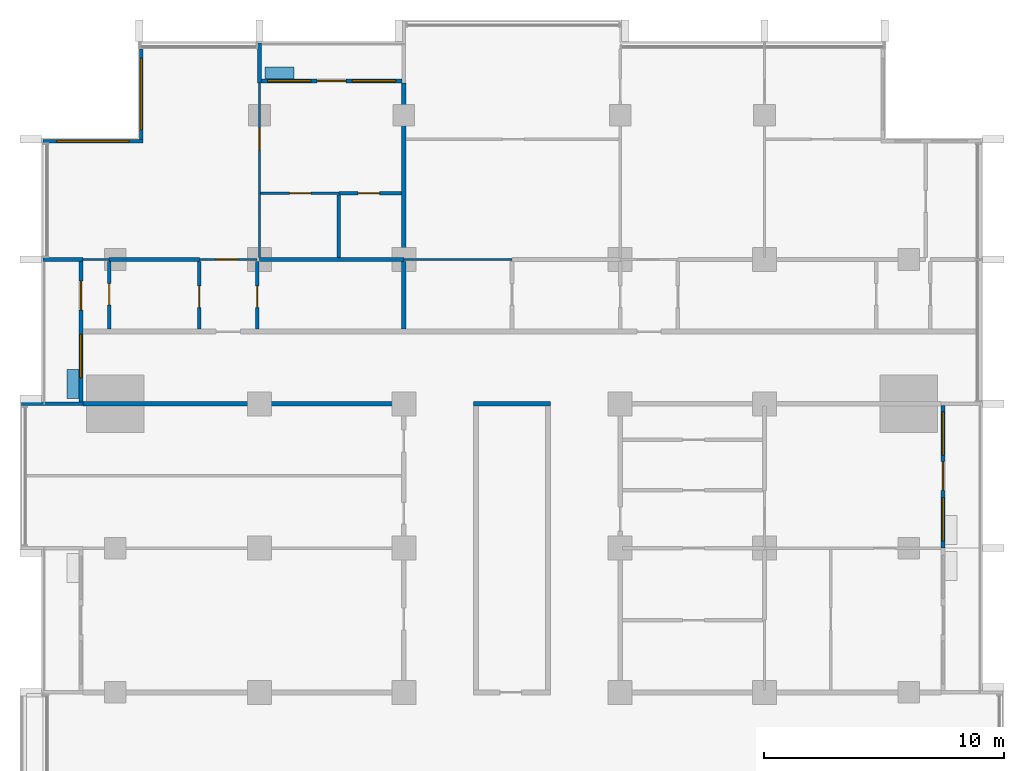
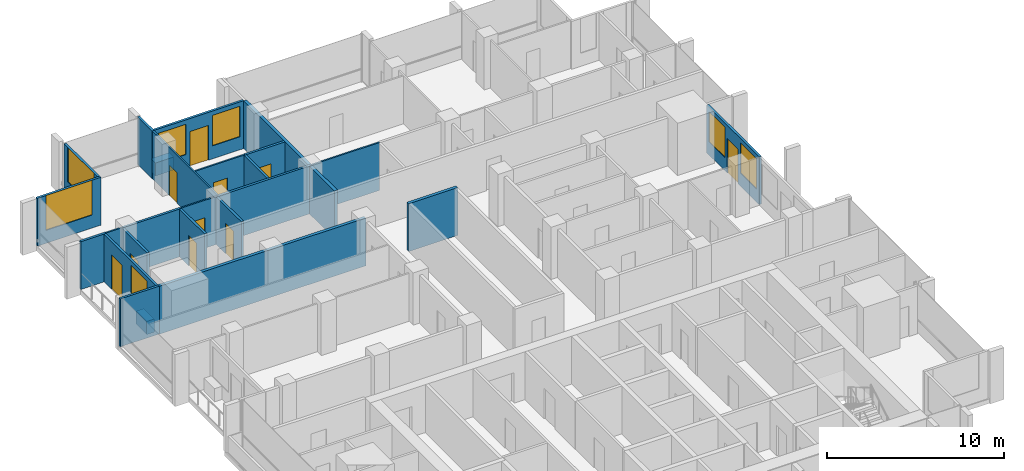
# One storey, part 10 of 17: 26 walls, 10 doors, 7 windows, 17 openings.
"""IFC4 building model written with IfcOpenShell, lengths in metres."""

from ifc_helpers import new_model, si_unit, direction, frame, frame_2d, origin, place, context, subcontext, project, spatial, rectangle, extrude, material, layer, layer_set, type_object, element, fill, save


model = new_model("IFC4")

# Units and contexts
model_context = context("Model", 3, precision=1e-05, world=origin(), true_north=direction((0.0, 1.0)))
body_context = subcontext(model_context, "Body", "Model", "MODEL_VIEW")
ifc_project = project(units=[si_unit("LENGTHUNIT", "METRE"), si_unit("AREAUNIT", "SQUARE_METRE"), si_unit("VOLUMEUNIT", "CUBIC_METRE"), si_unit("PLANEANGLEUNIT", "RADIAN"), si_unit("MASSUNIT", "GRAM", prefix="KILO")], contexts=[model_context])

# Site, building, storey
site_placement = place(None, origin())
site = spatial("IfcSite", under=ifc_project, at=site_placement, CompositionType="ELEMENT")
building_placement = place(site_placement, origin())
building = spatial("IfcBuilding", under=site, at=building_placement, Name="Finial Court Residences", CompositionType="ELEMENT")
storey_placement = place(building_placement, frame((0.0, 0.0, 152.89990234375)))
storey = spatial("IfcBuildingStorey", under=building, at=storey_placement, Name="L37", CompositionType="ELEMENT", Elevation=152.89990234375)

# Walls
ifc_material_1 = material(Name="Gypsum board")
ifc_layer_1 = layer(ifc_material_1, 0.02490234375)
ifc_material_2 = material(Name="Acoustic mineral wool in double frame")
ifc_layer_2 = layer(ifc_material_2, 0.14990234375)
ifc_layer_3 = layer(ifc_material_1, 0.02490234375)
ifc_layer_set_1 = layer_set([ifc_layer_1, ifc_layer_2, ifc_layer_3], Name="Acoustic party wall 200, 1 hour")
wall_type_1 = type_object("IfcWallType", Name="Acoustic party wall 200, 1 hour", PredefinedType="PARTITIONING", material=ifc_layer_set_1)
wall_1_placement = place(storey_placement, frame((-4.5, 10.60009765625, 0.0), z_axis=(0.0, 0.0, 1.0), x_axis=(0.0, 1.0, 0.0)))
element("IfcWall", 1, at=wall_1_placement, inside=storey, type_object=wall_type_1, Name="Partition L37-040", PredefinedType="PARTITIONING", context=body_context, shape_type="SweptSolid", body=[
    extrude(rectangle(XDim=2.824951171875, YDim=0.199951171875, at=frame_2d((1.41259765625, 0.0))), origin(), (0.0, 0.0, 1.0), 3.300048828125),
])
wall_2_placement = place(storey_placement, frame((-4.5, 13.574951171875, 0.0), z_axis=(0.0, 0.0, 1.0), x_axis=(0.0, 1.0, 0.0)))
element("IfcWall", 2, at=wall_2_placement, inside=storey, type_object=wall_type_1, Name="Partition L37-041", PredefinedType="PARTITIONING", context=body_context, shape_type="SweptSolid", body=[
    extrude(rectangle(XDim=7.275146484375, YDim=0.199951171875, at=frame_2d((3.6376953125, 0.0))), origin(), (0.0, 0.0, 1.0), 3.300048828125),
])
ifc_layer_4 = layer(ifc_material_1, 0.02490234375)
ifc_layer_5 = layer(ifc_material_2, 0.14990234375)
ifc_layer_6 = layer(ifc_material_1, 0.02490234375)
ifc_layer_set_2 = layer_set([ifc_layer_4, ifc_layer_5, ifc_layer_6], Name="Corridor wall 200, 1 hour")
wall_type_2 = type_object("IfcWallType", Name="Corridor wall 200, 1 hour", PredefinedType="PARTITIONING", material=ifc_layer_set_2)
wall_3_placement = place(storey_placement, frame((-17.85009765625, 7.5, 0.0), z_axis=(0.0, 0.0, 1.0), x_axis=(1.0, 0.0, 0.0)))
element("IfcWall", 3, at=wall_3_placement, inside=storey, type_object=wall_type_2, Name="Partition L37-016", PredefinedType="PARTITIONING", context=body_context, shape_type="SweptSolid", body=[
    extrude(rectangle(XDim=13.4501953125, YDim=0.199951171875, at=frame_2d((6.72509765625, 0.0))), origin(), (0.0, 0.0, 1.0), 3.300048828125),
])
wall_4_placement = place(storey_placement, frame((-1.60009765625, 7.5, 0.0), z_axis=(0.0, 0.0, 1.0), x_axis=(1.0, 0.0, 0.0)))
element("IfcWall", 4, at=wall_4_placement, inside=storey, type_object=wall_type_2, Name="Partition L37-017", PredefinedType="PARTITIONING", context=body_context, shape_type="SweptSolid", body=[
    extrude(rectangle(XDim=3.2001953125, YDim=0.199951171875, at=frame_2d((1.60009765625, 0.0))), origin(), (0.0, 0.0, 1.0), 3.300048828125),
])
ifc_layer_7 = layer(ifc_material_1, 0.012451171875)
ifc_material_3 = material(Name="Mineral wool in light-gauge frame")
ifc_layer_8 = layer(ifc_material_3, 0.074951171875)
ifc_layer_9 = layer(ifc_material_1, 0.012451171875)
ifc_layer_set_3 = layer_set([ifc_layer_7, ifc_layer_8, ifc_layer_9], Name="Gypsum board partition 100")
wall_type_3 = type_object("IfcWallType", Name="Gypsum board partition 100", PredefinedType="PARTITIONING", material=ifc_layer_set_3)
wall_5_placement = place(storey_placement, frame((-17.85009765625, 13.5, 0.0), z_axis=(0.0, 0.0, 1.0), x_axis=(1.0, 0.0, 0.0)))
element("IfcWall", 5, at=wall_5_placement, inside=storey, type_object=wall_type_3, Name="Partition L37-020", PredefinedType="PARTITIONING", context=body_context, shape_type="SweptSolid", body=[
    extrude(rectangle(XDim=1.10009765625, YDim=0.10009765625, at=frame_2d((0.550048828125, 0.0))), origin(), (0.0, 0.0, 1.0), 3.300048828125),
])

# Wall, opening, door
wall_6_placement = place(storey_placement, frame((-13.0, 13.5, 0.0), z_axis=(0.0, 0.0, 1.0), x_axis=(1.0, 0.0, 0.0)))
wall_6 = element("IfcWall", 6, at=wall_6_placement, inside=storey, type_object=wall_type_3, Name="Partition L37-021", PredefinedType="PARTITIONING", context=body_context, shape_type="SweptSolid", body=[
    extrude(rectangle(XDim=2.39990234375, YDim=0.10009765625, at=frame_2d((1.199951171875, 0.0))), origin(), (0.0, 0.0, 1.0), 3.300048828125),
])
opening_1_placement = place(wall_6_placement, frame((0.699951171875, 0.0, 0.0)))
opening_1 = element("IfcOpeningElement", 7, at=opening_1_placement, cuts=wall_6, Name="Opening L37-D017", PredefinedType="OPENING", context=body_context, shape_type="SweptSolid", body=[
    extrude(rectangle(XDim=0.89990234375, YDim=2.10009765625, at=frame_2d((0.449951171875, 1.050048828125))), frame((0.0, 0.06005859375, 0.0), z_axis=(0.0, -1.0, 0.0), x_axis=(1.0, 0.0, 0.0)), (0.0, 0.0, 1.0), 0.1201171875),
])
ifc_material_4 = material(Name="Timber door leaf in timber frame", Category="wood")
door_type_1 = type_object("IfcDoorType", Name="Door set 900 x 2100", OperationType="SINGLE_SWING_LEFT", PredefinedType="DOOR", material=ifc_material_4)
door_1_placement = place(opening_1_placement, origin())
door_1 = element("IfcDoor", 8, at=door_1_placement, inside=storey, type_object=door_type_1, Name="Door L37-D017", OperationType="SINGLE_SWING_LEFT", OverallHeight=2.10009765625, OverallWidth=0.89990234375, PredefinedType="DOOR", context=body_context, shape_type="SweptSolid", body=[
    extrude(rectangle(XDim=0.89990234375, YDim=2.10009765625, at=frame_2d((0.449951171875, 1.050048828125))), frame((0.0, 0.02490234375, 0.0), z_axis=(0.0, -1.0, 0.0), x_axis=(1.0, 0.0, 0.0)), (0.0, 0.0, 1.0), 0.050048828125),
])
fill(opening_1, door_1)

# Wall
wall_7_placement = place(storey_placement, frame((-4.5, 13.5, 0.0), z_axis=(0.0, 0.0, 1.0), x_axis=(1.0, 0.0, 0.0)))
element("IfcWall", 9, at=wall_7_placement, inside=storey, type_object=wall_type_3, Name="Partition L37-022", PredefinedType="PARTITIONING", context=body_context, shape_type="SweptSolid", body=[
    extrude(rectangle(XDim=4.5, YDim=0.10009765625, at=frame_2d((2.25, 0.0))), origin(), (0.0, 0.0, 1.0), 3.300048828125),
])

# Wall, opening, door
wall_8_placement = place(storey_placement, frame((-10.449951171875, 16.25, 0.0), z_axis=(0.0, 0.0, 1.0), x_axis=(1.0, 0.0, 0.0)))
wall_8 = element("IfcWall", 10, at=wall_8_placement, inside=storey, type_object=wall_type_3, Name="Partition L37-029", PredefinedType="PARTITIONING", context=body_context, shape_type="SweptSolid", body=[
    extrude(rectangle(XDim=3.25, YDim=0.10009765625, at=frame_2d((1.625, 0.0))), origin(), (0.0, 0.0, 1.0), 3.300048828125),
])
opening_2_placement = place(wall_8_placement, frame((1.199951171875, 0.0, 0.0)))
opening_2 = element("IfcOpeningElement", 11, at=opening_2_placement, cuts=wall_8, Name="Opening L37-D019", PredefinedType="OPENING", context=body_context, shape_type="SweptSolid", body=[
    extrude(rectangle(XDim=0.89990234375, YDim=2.10009765625, at=frame_2d((0.449951171875, 1.050048828125))), frame((0.0, 0.06005859375, 0.0), z_axis=(0.0, -1.0, 0.0), x_axis=(1.0, 0.0, 0.0)), (0.0, 0.0, 1.0), 0.1201171875),
])
door_2_placement = place(opening_2_placement, origin())
door_2 = element("IfcDoor", 12, at=door_2_placement, inside=storey, type_object=door_type_1, Name="Door L37-D019", OperationType="SINGLE_SWING_RIGHT", OverallHeight=2.10009765625, OverallWidth=0.89990234375, PredefinedType="DOOR", context=body_context, shape_type="SweptSolid", body=[
    extrude(rectangle(XDim=0.89990234375, YDim=2.10009765625, at=frame_2d((0.449951171875, 1.050048828125))), frame((0.0, 0.02490234375, 0.0), z_axis=(0.0, -1.0, 0.0), x_axis=(1.0, 0.0, 0.0)), (0.0, 0.0, 1.0), 0.050048828125),
])
fill(opening_2, door_2)

wall_9_placement = place(storey_placement, frame((-10.5, 13.574951171875, 0.0), z_axis=(0.0, 0.0, 1.0), x_axis=(0.0, 1.0, 0.0)))
wall_9 = element("IfcWall", 13, at=wall_9_placement, inside=storey, type_object=wall_type_3, Name="Partition L37-037", PredefinedType="PARTITIONING", context=body_context, shape_type="SweptSolid", body=[
    extrude(rectangle(XDim=7.275146484375, YDim=0.10009765625, at=frame_2d((3.6376953125, 0.0))), origin(), (0.0, 0.0, 1.0), 3.300048828125),
])
opening_3_placement = place(wall_9_placement, frame((4.47509765625, 0.0, 0.0)))
opening_3 = element("IfcOpeningElement", 14, at=opening_3_placement, cuts=wall_9, Name="Opening L37-D026", PredefinedType="OPENING", context=body_context, shape_type="SweptSolid", body=[
    extrude(rectangle(XDim=0.89990234375, YDim=2.10009765625, at=frame_2d((0.449951171875, 1.050048828125))), frame((0.0, 0.06005859375, 0.0), z_axis=(0.0, -1.0, 0.0), x_axis=(1.0, 0.0, 0.0)), (0.0, 0.0, 1.0), 0.1201171875),
])
door_3_placement = place(opening_3_placement, origin())
door_3 = element("IfcDoor", 15, at=door_3_placement, inside=storey, type_object=door_type_1, Name="Door L37-D026", OperationType="SINGLE_SWING_RIGHT", OverallHeight=2.10009765625, OverallWidth=0.89990234375, PredefinedType="DOOR", context=body_context, shape_type="SweptSolid", body=[
    extrude(rectangle(XDim=0.89990234375, YDim=2.10009765625, at=frame_2d((0.449951171875, 1.050048828125))), frame((0.0, 0.02490234375, 0.0), z_axis=(0.0, -1.0, 0.0), x_axis=(1.0, 0.0, 0.0)), (0.0, 0.0, 1.0), 0.050048828125),
])
fill(opening_3, door_3)

# Walls
ifc_material_5 = material(Name="Moisture-resistant gypsum board")
ifc_layer_10 = layer(ifc_material_5, 0.012451171875)
ifc_layer_11 = layer(ifc_material_3, 0.125)
ifc_layer_12 = layer(ifc_material_5, 0.012451171875)
ifc_layer_set_4 = layer_set([ifc_layer_10, ifc_layer_11, ifc_layer_12], Name="Gypsum board wet-area partition 150")
wall_type_4 = type_object("IfcWallType", Name="Gypsum board wet-area partition 150", PredefinedType="PARTITIONING", material=ifc_layer_set_4)
wall_10_placement = place(storey_placement, frame((-16.75, 13.5, 0.0), z_axis=(0.0, 0.0, 1.0), x_axis=(1.0, 0.0, 0.0)))
element("IfcWall", 16, at=wall_10_placement, inside=storey, type_object=wall_type_4, Name="Partition L37-024", PredefinedType="PARTITIONING", context=body_context, shape_type="SweptSolid", body=[
    extrude(rectangle(XDim=3.75, YDim=0.14990234375, at=frame_2d((1.875, 0.0))), origin(), (0.0, 0.0, 1.0), 3.300048828125),
])
wall_11_placement = place(storey_placement, frame((-10.5, 13.5, 0.0), z_axis=(0.0, 0.0, 1.0), x_axis=(1.0, 0.0, 0.0)))
element("IfcWall", 17, at=wall_11_placement, inside=storey, type_object=wall_type_4, Name="Partition L37-025", PredefinedType="PARTITIONING", context=body_context, shape_type="SweptSolid", body=[
    extrude(rectangle(XDim=6.0, YDim=0.14990234375, at=frame_2d((3.0, 0.0))), origin(), (0.0, 0.0, 1.0), 3.300048828125),
])

# Wall, opening, door
wall_12_placement = place(storey_placement, frame((-7.199951171875, 16.25, 0.0), z_axis=(0.0, 0.0, 1.0), x_axis=(1.0, 0.0, 0.0)))
wall_12 = element("IfcWall", 18, at=wall_12_placement, inside=storey, type_object=wall_type_4, Name="Partition L37-030", PredefinedType="PARTITIONING", context=body_context, shape_type="SweptSolid", body=[
    extrude(rectangle(XDim=2.599853515625, YDim=0.14990234375, at=frame_2d((1.2998046875, 0.0))), origin(), (0.0, 0.0, 1.0), 3.300048828125),
])
opening_4_placement = place(wall_12_placement, frame((0.800048828125, 0.0, 0.0)))
opening_4 = element("IfcOpeningElement", 19, at=opening_4_placement, cuts=wall_12, Name="Opening L37-D020", PredefinedType="OPENING", context=body_context, shape_type="SweptSolid", body=[
    extrude(rectangle(XDim=0.89990234375, YDim=2.10009765625, at=frame_2d((0.449951171875, 1.050048828125))), frame((0.0, 0.0849609375, 0.0), z_axis=(0.0, -1.0, 0.0), x_axis=(1.0, 0.0, 0.0)), (0.0, 0.0, 1.0), 0.169921875),
])
door_4_placement = place(opening_4_placement, origin())
door_4 = element("IfcDoor", 20, at=door_4_placement, inside=storey, type_object=door_type_1, Name="Door L37-D020", OperationType="SINGLE_SWING_RIGHT", OverallHeight=2.10009765625, OverallWidth=0.89990234375, PredefinedType="DOOR", context=body_context, shape_type="SweptSolid", body=[
    extrude(rectangle(XDim=0.89990234375, YDim=2.10009765625, at=frame_2d((0.449951171875, 1.050048828125))), frame((0.0, 0.02490234375, 0.0), z_axis=(0.0, -1.0, 0.0), x_axis=(1.0, 0.0, 0.0)), (0.0, 0.0, 1.0), 0.050048828125),
])
fill(opening_4, door_4)

wall_13_placement = place(storey_placement, frame((-16.75, 10.60009765625, 0.0), z_axis=(0.0, 0.0, 1.0), x_axis=(0.0, 1.0, 0.0)))
wall_13 = element("IfcWall", 21, at=wall_13_placement, inside=storey, type_object=wall_type_4, Name="Partition L37-033", PredefinedType="PARTITIONING", context=body_context, shape_type="SweptSolid", body=[
    extrude(rectangle(XDim=2.824951171875, YDim=0.14990234375, at=frame_2d((1.41259765625, 0.0))), origin(), (0.0, 0.0, 1.0), 3.300048828125),
])
opening_5_placement = place(wall_13_placement, frame((1.0, 0.0, 0.0)))
opening_5 = element("IfcOpeningElement", 22, at=opening_5_placement, cuts=wall_13, Name="Opening L37-D023", PredefinedType="OPENING", context=body_context, shape_type="SweptSolid", body=[
    extrude(rectangle(XDim=0.89990234375, YDim=2.10009765625, at=frame_2d((0.449951171875, 1.050048828125))), frame((0.0, 0.0849609375, 0.0), z_axis=(0.0, -1.0, 0.0), x_axis=(1.0, 0.0, 0.0)), (0.0, 0.0, 1.0), 0.169921875),
])
door_5_placement = place(opening_5_placement, origin())
door_5 = element("IfcDoor", 23, at=door_5_placement, inside=storey, type_object=door_type_1, Name="Door L37-D023", OperationType="SINGLE_SWING_RIGHT", OverallHeight=2.10009765625, OverallWidth=0.89990234375, PredefinedType="DOOR", context=body_context, shape_type="SweptSolid", body=[
    extrude(rectangle(XDim=0.89990234375, YDim=2.10009765625, at=frame_2d((0.449951171875, 1.050048828125))), frame((0.0, 0.02490234375, 0.0), z_axis=(0.0, -1.0, 0.0), x_axis=(1.0, 0.0, 0.0)), (0.0, 0.0, 1.0), 0.050048828125),
])
fill(opening_5, door_5)

wall_14_placement = place(storey_placement, frame((-13.0, 10.60009765625, 0.0), z_axis=(0.0, 0.0, 1.0), x_axis=(0.0, 1.0, 0.0)))
wall_14 = element("IfcWall", 24, at=wall_14_placement, inside=storey, type_object=wall_type_4, Name="Partition L37-035", PredefinedType="PARTITIONING", context=body_context, shape_type="SweptSolid", body=[
    extrude(rectangle(XDim=2.824951171875, YDim=0.14990234375, at=frame_2d((1.41259765625, 0.0))), origin(), (0.0, 0.0, 1.0), 3.300048828125),
])
opening_6_placement = place(wall_14_placement, frame((0.89990234375, 0.0, 0.0)))
opening_6 = element("IfcOpeningElement", 25, at=opening_6_placement, cuts=wall_14, Name="Opening L37-D024", PredefinedType="OPENING", context=body_context, shape_type="SweptSolid", body=[
    extrude(rectangle(XDim=0.89990234375, YDim=2.10009765625, at=frame_2d((0.449951171875, 1.050048828125))), frame((0.0, 0.0849609375, 0.0), z_axis=(0.0, -1.0, 0.0), x_axis=(1.0, 0.0, 0.0)), (0.0, 0.0, 1.0), 0.169921875),
])
door_6_placement = place(opening_6_placement, origin())
door_6 = element("IfcDoor", 26, at=door_6_placement, inside=storey, type_object=door_type_1, Name="Door L37-D024", OperationType="SINGLE_SWING_LEFT", OverallHeight=2.10009765625, OverallWidth=0.89990234375, PredefinedType="DOOR", context=body_context, shape_type="SweptSolid", body=[
    extrude(rectangle(XDim=0.89990234375, YDim=2.10009765625, at=frame_2d((0.449951171875, 1.050048828125))), frame((0.0, 0.02490234375, 0.0), z_axis=(0.0, -1.0, 0.0), x_axis=(1.0, 0.0, 0.0)), (0.0, 0.0, 1.0), 0.050048828125),
])
fill(opening_6, door_6)

wall_15_placement = place(storey_placement, frame((-10.60009765625, 10.60009765625, 0.0), z_axis=(0.0, 0.0, 1.0), x_axis=(0.0, 1.0, 0.0)))
wall_15 = element("IfcWall", 27, at=wall_15_placement, inside=storey, type_object=wall_type_4, Name="Partition L37-036", PredefinedType="PARTITIONING", context=body_context, shape_type="SweptSolid", body=[
    extrude(rectangle(XDim=2.824951171875, YDim=0.14990234375, at=frame_2d((1.41259765625, 0.0))), origin(), (0.0, 0.0, 1.0), 3.300048828125),
])
opening_7_placement = place(wall_15_placement, frame((0.89990234375, 0.0, 0.0)))
opening_7 = element("IfcOpeningElement", 28, at=opening_7_placement, cuts=wall_15, Name="Opening L37-D025", PredefinedType="OPENING", context=body_context, shape_type="SweptSolid", body=[
    extrude(rectangle(XDim=0.89990234375, YDim=2.10009765625, at=frame_2d((0.449951171875, 1.050048828125))), frame((0.0, 0.0849609375, 0.0), z_axis=(0.0, -1.0, 0.0), x_axis=(1.0, 0.0, 0.0)), (0.0, 0.0, 1.0), 0.169921875),
])
door_7_placement = place(opening_7_placement, origin())
door_7 = element("IfcDoor", 29, at=door_7_placement, inside=storey, type_object=door_type_1, Name="Door L37-D025", OperationType="SINGLE_SWING_RIGHT", OverallHeight=2.10009765625, OverallWidth=0.89990234375, PredefinedType="DOOR", context=body_context, shape_type="SweptSolid", body=[
    extrude(rectangle(XDim=0.89990234375, YDim=2.10009765625, at=frame_2d((0.449951171875, 1.050048828125))), frame((0.0, 0.02490234375, 0.0), z_axis=(0.0, -1.0, 0.0), x_axis=(1.0, 0.0, 0.0)), (0.0, 0.0, 1.0), 0.050048828125),
])
fill(opening_7, door_7)

# Wall
wall_16_placement = place(storey_placement, frame((-7.199951171875, 13.574951171875, 0.0), z_axis=(0.0, 0.0, 1.0), x_axis=(0.0, 1.0, 0.0)))
element("IfcWall", 30, at=wall_16_placement, inside=storey, type_object=wall_type_4, Name="Partition L37-038", PredefinedType="PARTITIONING", context=body_context, shape_type="SweptSolid", body=[
    extrude(rectangle(XDim=2.60009765625, YDim=0.14990234375, at=frame_2d((1.300048828125, 0.0))), origin(), (0.0, 0.0, 1.0), 3.300048828125),
])

# Wall, opening, window
ifc_material_6 = material(Name="Natural limestone", Category="masonry")
ifc_layer_13 = layer(ifc_material_6, 0.14990234375)
ifc_layer_set_5 = layer_set([ifc_layer_13], Name="Limestone clad wall 150")
wall_type_5 = type_object("IfcWallType", Name="Limestone clad wall 150", PredefinedType="SOLIDWALL", material=ifc_layer_set_5)
wall_17_placement = place(storey_placement, frame((-15.425048828125, 18.5, 0.0), z_axis=(0.0, 0.0, 1.0), x_axis=(0.0, 1.0, 0.0)))
wall_17 = element("IfcWall", 31, at=wall_17_placement, inside=storey, type_object=wall_type_5, Name="E-L37-NWW16", PredefinedType="SOLIDWALL", context=body_context, shape_type="SweptSolid", body=[
    extrude(rectangle(XDim=3.762451171875, YDim=0.14990234375, at=frame_2d((1.88134765625, 0.0))), origin(), (0.0, 0.0, 1.0), 3.300048828125),
])
opening_8_placement = place(wall_17_placement, frame((0.4013671875, 0.0, 0.89990234375)))
opening_8 = element("IfcOpeningElement", 32, at=opening_8_placement, cuts=wall_17, Name="Opening WE37-05", PredefinedType="OPENING", context=body_context, shape_type="SweptSolid", body=[
    extrude(rectangle(XDim=2.9599609375, YDim=2.39990234375, at=frame_2d((1.47998046875, 1.199951171875))), frame((0.0, 0.0849609375, 0.0), z_axis=(0.0, -1.0, 0.0), x_axis=(1.0, 0.0, 0.0)), (0.0, 0.0, 1.0), 0.169921875),
])
ifc_material_7 = material(Name="Clear low-e glass", Category="glass")
window_type_1 = type_object("IfcWindowType", Name="Corner window 2960 x 2400", PartitioningType="SINGLE_PANEL", PredefinedType="WINDOW", material=ifc_material_7)
window_1_placement = place(opening_8_placement, origin())
window_1 = element("IfcWindow", 33, at=window_1_placement, inside=storey, type_object=window_type_1, Name="E-L37-NWW16-W1", OverallHeight=2.39990234375, OverallWidth=2.9599609375, PartitioningType="SINGLE_PANEL", PredefinedType="WINDOW", context=body_context, shape_type="SweptSolid", body=[
    extrude(rectangle(XDim=2.9599609375, YDim=2.39990234375, at=frame_2d((1.47998046875, 1.199951171875))), frame((0.0, 0.030029296875, 0.0), z_axis=(0.0, -1.0, 0.0), x_axis=(1.0, 0.0, 0.0)), (0.0, 0.0, 1.0), 0.06005859375),
])
fill(opening_8, window_1)

wall_18_placement = place(storey_placement, frame((-19.5, 18.425048828125, 0.0), z_axis=(0.0, 0.0, 1.0), x_axis=(1.0, 0.0, 0.0)))
wall_18 = element("IfcWall", 34, at=wall_18_placement, inside=storey, type_object=wall_type_5, Name="E-L37-NWN17", PredefinedType="SOLIDWALL", context=body_context, shape_type="SweptSolid", body=[
    extrude(rectangle(XDim=4.14990234375, YDim=0.14990234375, at=frame_2d((2.074951171875, 0.0))), origin(), (0.0, 0.0, 1.0), 3.300048828125),
])
opening_9_placement = place(wall_18_placement, frame((0.574951171875, 0.0, 0.89990234375)))
opening_9 = element("IfcOpeningElement", 35, at=opening_9_placement, cuts=wall_18, Name="Opening WE37-06", PredefinedType="OPENING", context=body_context, shape_type="SweptSolid", body=[
    extrude(rectangle(XDim=3.0, YDim=2.39990234375, at=frame_2d((1.5, 1.199951171875))), frame((0.0, 0.0849609375, 0.0), z_axis=(0.0, -1.0, 0.0), x_axis=(1.0, 0.0, 0.0)), (0.0, 0.0, 1.0), 0.169921875),
])
window_type_2 = type_object("IfcWindowType", Name="Corner window 3000 x 2400", PartitioningType="SINGLE_PANEL", PredefinedType="WINDOW", material=ifc_material_7)
window_2_placement = place(opening_9_placement, origin())
window_2 = element("IfcWindow", 36, at=window_2_placement, inside=storey, type_object=window_type_2, Name="E-L37-NWN17-W1", OverallHeight=2.39990234375, OverallWidth=3.0, PartitioningType="SINGLE_PANEL", PredefinedType="WINDOW", context=body_context, shape_type="SweptSolid", body=[
    extrude(rectangle(XDim=3.0, YDim=2.39990234375, at=frame_2d((1.5, 1.199951171875))), frame((0.0, 0.030029296875, 0.0), z_axis=(0.0, -1.0, 0.0), x_axis=(1.0, 0.0, 0.0)), (0.0, 0.0, 1.0), 0.06005859375),
])
fill(opening_9, window_2)

# Wall
wall_19_placement = place(storey_placement, frame((-10.5, 20.85009765625, 0.0), z_axis=(0.0, 0.0, 1.0), x_axis=(0.0, 1.0, 0.0)))
element("IfcWall", 37, at=wall_19_placement, inside=storey, type_object=wall_type_5, Name="E-L37-BALN2-P1", PredefinedType="SOLIDWALL", context=body_context, shape_type="SweptSolid", body=[
    extrude(rectangle(XDim=1.64990234375, YDim=0.14990234375, at=frame_2d((0.824951171875, 0.0))), origin(), (0.0, 0.0, 1.0), 3.300048828125),
])

# Wall, openings, door, windows
wall_20_placement = place(storey_placement, frame((-10.425048828125, 20.925048828125, 0.0), z_axis=(0.0, 0.0, 1.0), x_axis=(1.0, 0.0, 0.0)))
wall_20 = element("IfcWall", 38, at=wall_20_placement, inside=storey, type_object=wall_type_5, Name="E-L37-L37-BALN2-W", PredefinedType="SOLIDWALL", context=body_context, shape_type="SweptSolid", body=[
    extrude(rectangle(XDim=5.85009765625, YDim=0.14990234375, at=frame_2d((2.925048828125, 0.0))), origin(), (0.0, 0.0, 1.0), 3.300048828125),
])
opening_10_placement = place(wall_20_placement, frame((2.324951171875, 0.0, 0.0)))
opening_10 = element("IfcOpeningElement", 39, at=opening_10_placement, cuts=wall_20, Name="Opening DE37-01", PredefinedType="OPENING", context=body_context, shape_type="SweptSolid", body=[
    extrude(rectangle(XDim=1.199951171875, YDim=2.39990234375, at=frame_2d((0.60009765625, 1.199951171875))), frame((0.0, 0.0849609375, 0.0), z_axis=(0.0, -1.0, 0.0), x_axis=(1.0, 0.0, 0.0)), (0.0, 0.0, 1.0), 0.169921875),
])
opening_11_placement = place(wall_20_placement, frame((0.262451171875, 0.0, 0.89990234375)))
opening_11 = element("IfcOpeningElement", 40, at=opening_11_placement, cuts=wall_20, Name="Opening WE37-10", PredefinedType="OPENING", context=body_context, shape_type="SweptSolid", body=[
    extrude(rectangle(XDim=1.800048828125, YDim=2.10009765625, at=frame_2d((0.89990234375, 1.050048828125))), frame((0.0, 0.0849609375, 0.0), z_axis=(0.0, -1.0, 0.0), x_axis=(1.0, 0.0, 0.0)), (0.0, 0.0, 1.0), 0.169921875),
])
opening_12_placement = place(wall_20_placement, frame((3.78759765625, 0.0, 0.89990234375)))
opening_12 = element("IfcOpeningElement", 41, at=opening_12_placement, cuts=wall_20, Name="Opening WE37-11", PredefinedType="OPENING", context=body_context, shape_type="SweptSolid", body=[
    extrude(rectangle(XDim=1.800048828125, YDim=2.10009765625, at=frame_2d((0.89990234375, 1.050048828125))), frame((0.0, 0.0849609375, 0.0), z_axis=(0.0, -1.0, 0.0), x_axis=(1.0, 0.0, 0.0)), (0.0, 0.0, 1.0), 0.169921875),
])
ifc_material_8 = material(Name="Bronze anodised aluminium", Category="aluminium")
door_type_2 = type_object("IfcDoorType", Name="Balcony door 1200 x 2400", OperationType="SINGLE_SWING_LEFT", PredefinedType="DOOR", material=ifc_material_8)
door_8_placement = place(opening_10_placement, origin())
door_8 = element("IfcDoor", 42, at=door_8_placement, inside=storey, type_object=door_type_2, Name="E-L37-L37-BALN2-W-D", OperationType="SINGLE_SWING_RIGHT", OverallHeight=2.39990234375, OverallWidth=1.199951171875, PredefinedType="DOOR", context=body_context, shape_type="SweptSolid", body=[
    extrude(rectangle(XDim=1.199951171875, YDim=2.39990234375, at=frame_2d((0.60009765625, 1.199951171875))), frame((0.0, 0.02490234375, 0.0), z_axis=(0.0, -1.0, 0.0), x_axis=(1.0, 0.0, 0.0)), (0.0, 0.0, 1.0), 0.050048828125),
])
fill(opening_10, door_8)
window_type_3 = type_object("IfcWindowType", Name="Balcony window 1800 x 2100", PartitioningType="SINGLE_PANEL", PredefinedType="WINDOW", material=ifc_material_7)
window_3_placement = place(opening_11_placement, origin())
window_3 = element("IfcWindow", 43, at=window_3_placement, inside=storey, type_object=window_type_3, Name="E-L37-L37-BALN2-W-W1", OverallHeight=2.10009765625, OverallWidth=1.800048828125, PartitioningType="SINGLE_PANEL", PredefinedType="WINDOW", context=body_context, shape_type="SweptSolid", body=[
    extrude(rectangle(XDim=1.800048828125, YDim=2.10009765625, at=frame_2d((0.89990234375, 1.050048828125))), frame((0.0, 0.030029296875, 0.0), z_axis=(0.0, -1.0, 0.0), x_axis=(1.0, 0.0, 0.0)), (0.0, 0.0, 1.0), 0.06005859375),
])
fill(opening_11, window_3)
window_4_placement = place(opening_12_placement, origin())
window_4 = element("IfcWindow", 44, at=window_4_placement, inside=storey, type_object=window_type_3, Name="E-L37-L37-BALN2-W-W2", OverallHeight=2.10009765625, OverallWidth=1.800048828125, PartitioningType="SINGLE_PANEL", PredefinedType="WINDOW", context=body_context, shape_type="SweptSolid", body=[
    extrude(rectangle(XDim=1.800048828125, YDim=2.10009765625, at=frame_2d((0.89990234375, 1.050048828125))), frame((0.0, 0.030029296875, 0.0), z_axis=(0.0, -1.0, 0.0), x_axis=(1.0, 0.0, 0.0)), (0.0, 0.0, 1.0), 0.06005859375),
])
fill(opening_12, window_4)

wall_21_placement = place(storey_placement, frame((17.925048828125, 7.425048828125, 0.0), z_axis=(0.0, 0.0, 1.0), x_axis=(0.0, -1.0, 0.0)))
wall_21 = element("IfcWall", 45, at=wall_21_placement, inside=storey, type_object=wall_type_5, Name="E-L37-L37-BALE4-W", PredefinedType="SOLIDWALL", context=body_context, shape_type="SweptSolid", body=[
    extrude(rectangle(XDim=5.925048828125, YDim=0.14990234375, at=frame_2d((2.96240234375, 0.0))), origin(), (0.0, 0.0, 1.0), 3.300048828125),
])
opening_13_placement = place(wall_21_placement, frame((2.324951171875, 0.0, 0.0)))
opening_13 = element("IfcOpeningElement", 46, at=opening_13_placement, cuts=wall_21, Name="Opening DE37-03", PredefinedType="OPENING", context=body_context, shape_type="SweptSolid", body=[
    extrude(rectangle(XDim=1.199951171875, YDim=2.39990234375, at=frame_2d((0.60009765625, 1.199951171875))), frame((0.0, 0.0849609375, 0.0), z_axis=(0.0, -1.0, 0.0), x_axis=(1.0, 0.0, 0.0)), (0.0, 0.0, 1.0), 0.169921875),
])
opening_14_placement = place(wall_21_placement, frame((3.824951171875, 0.0, 0.89990234375)))
opening_14 = element("IfcOpeningElement", 47, at=opening_14_placement, cuts=wall_21, Name="Opening WE37-14", PredefinedType="OPENING", context=body_context, shape_type="SweptSolid", body=[
    extrude(rectangle(XDim=1.800048828125, YDim=2.10009765625, at=frame_2d((0.89990234375, 1.050048828125))), frame((0.0, 0.0849609375, 0.0), z_axis=(0.0, -1.0, 0.0), x_axis=(1.0, 0.0, 0.0)), (0.0, 0.0, 1.0), 0.169921875),
])
opening_15_placement = place(wall_21_placement, frame((0.262451171875, 0.0, 0.89990234375)))
opening_15 = element("IfcOpeningElement", 48, at=opening_15_placement, cuts=wall_21, Name="Opening WE37-15", PredefinedType="OPENING", context=body_context, shape_type="SweptSolid", body=[
    extrude(rectangle(XDim=1.800048828125, YDim=2.10009765625, at=frame_2d((0.89990234375, 1.050048828125))), frame((0.0, 0.0849609375, 0.0), z_axis=(0.0, -1.0, 0.0), x_axis=(1.0, 0.0, 0.0)), (0.0, 0.0, 1.0), 0.169921875),
])
door_9_placement = place(opening_13_placement, origin())
door_9 = element("IfcDoor", 49, at=door_9_placement, inside=storey, type_object=door_type_2, Name="E-L37-L37-BALE4-W-D", OperationType="SINGLE_SWING_RIGHT", OverallHeight=2.39990234375, OverallWidth=1.199951171875, PredefinedType="DOOR", context=body_context, shape_type="SweptSolid", body=[
    extrude(rectangle(XDim=1.199951171875, YDim=2.39990234375, at=frame_2d((0.60009765625, 1.199951171875))), frame((0.0, 0.02490234375, 0.0), z_axis=(0.0, -1.0, 0.0), x_axis=(1.0, 0.0, 0.0)), (0.0, 0.0, 1.0), 0.050048828125),
])
fill(opening_13, door_9)
window_5_placement = place(opening_14_placement, origin())
window_5 = element("IfcWindow", 50, at=window_5_placement, inside=storey, type_object=window_type_3, Name="E-L37-L37-BALE4-W-W1", OverallHeight=2.10009765625, OverallWidth=1.800048828125, PartitioningType="SINGLE_PANEL", PredefinedType="WINDOW", context=body_context, shape_type="SweptSolid", body=[
    extrude(rectangle(XDim=1.800048828125, YDim=2.10009765625, at=frame_2d((0.89990234375, 1.050048828125))), frame((0.0, 0.030029296875, 0.0), z_axis=(0.0, -1.0, 0.0), x_axis=(1.0, 0.0, 0.0)), (0.0, 0.0, 1.0), 0.06005859375),
])
fill(opening_14, window_5)
window_6_placement = place(opening_15_placement, origin())
window_6 = element("IfcWindow", 51, at=window_6_placement, inside=storey, type_object=window_type_3, Name="E-L37-L37-BALE4-W-W2", OverallHeight=2.10009765625, OverallWidth=1.800048828125, PartitioningType="SINGLE_PANEL", PredefinedType="WINDOW", context=body_context, shape_type="SweptSolid", body=[
    extrude(rectangle(XDim=1.800048828125, YDim=2.10009765625, at=frame_2d((0.89990234375, 1.050048828125))), frame((0.0, 0.030029296875, 0.0), z_axis=(0.0, -1.0, 0.0), x_axis=(1.0, 0.0, 0.0)), (0.0, 0.0, 1.0), 0.06005859375),
])
fill(opening_15, window_6)

# Walls
wall_22_placement = place(storey_placement, frame((-17.85009765625, 7.5, 0.0), z_axis=(0.0, 0.0, 1.0), x_axis=(-1.0, 0.0, 0.0)))
element("IfcWall", 52, at=wall_22_placement, inside=storey, type_object=wall_type_5, Name="E-L37-BALW5-P1", PredefinedType="SOLIDWALL", context=body_context, shape_type="SweptSolid", body=[
    extrude(rectangle(XDim=2.5498046875, YDim=0.14990234375, at=frame_2d((1.27490234375, 0.0))), origin(), (0.0, 0.0, 1.0), 3.300048828125),
])
wall_23_placement = place(storey_placement, frame((-17.85009765625, 13.5, 0.0), z_axis=(0.0, 0.0, 1.0), x_axis=(-1.0, 0.0, 0.0)))
element("IfcWall", 53, at=wall_23_placement, inside=storey, type_object=wall_type_5, Name="E-L37-BALW5-P2", PredefinedType="SOLIDWALL", context=body_context, shape_type="SweptSolid", body=[
    extrude(rectangle(XDim=1.64990234375, YDim=0.14990234375, at=frame_2d((0.824951171875, 0.0))), origin(), (0.0, 0.0, 1.0), 3.300048828125),
])

# Wall, openings, door, window
wall_24_placement = place(storey_placement, frame((-17.925048828125, 7.574951171875, 0.0), z_axis=(0.0, 0.0, 1.0), x_axis=(0.0, 1.0, 0.0)))
wall_24 = element("IfcWall", 54, at=wall_24_placement, inside=storey, type_object=wall_type_5, Name="E-L37-L37-BALW5-W", PredefinedType="SOLIDWALL", context=body_context, shape_type="SweptSolid", body=[
    extrude(rectangle(XDim=5.85009765625, YDim=0.14990234375, at=frame_2d((2.925048828125, 0.0))), origin(), (0.0, 0.0, 1.0), 3.300048828125),
])
opening_16_placement = place(wall_24_placement, frame((3.824951171875, 0.0, 0.0)))
opening_16 = element("IfcOpeningElement", 55, at=opening_16_placement, cuts=wall_24, Name="Opening DE37-05", PredefinedType="OPENING", context=body_context, shape_type="SweptSolid", body=[
    extrude(rectangle(XDim=1.199951171875, YDim=2.39990234375, at=frame_2d((0.60009765625, 1.199951171875))), frame((0.0, 0.0849609375, 0.0), z_axis=(0.0, -1.0, 0.0), x_axis=(1.0, 0.0, 0.0)), (0.0, 0.0, 1.0), 0.169921875),
])
opening_17_placement = place(wall_24_placement, frame((1.012451171875, 0.0, 0.89990234375)))
opening_17 = element("IfcOpeningElement", 56, at=opening_17_placement, cuts=wall_24, Name="Opening WE37-18", PredefinedType="OPENING", context=body_context, shape_type="SweptSolid", body=[
    extrude(rectangle(XDim=1.800048828125, YDim=2.10009765625, at=frame_2d((0.89990234375, 1.050048828125))), frame((0.0, 0.0849609375, 0.0), z_axis=(0.0, -1.0, 0.0), x_axis=(1.0, 0.0, 0.0)), (0.0, 0.0, 1.0), 0.169921875),
])
door_10_placement = place(opening_16_placement, origin())
door_10 = element("IfcDoor", 57, at=door_10_placement, inside=storey, type_object=door_type_2, Name="E-L37-L37-BALW5-W-D", OperationType="SINGLE_SWING_RIGHT", OverallHeight=2.39990234375, OverallWidth=1.199951171875, PredefinedType="DOOR", context=body_context, shape_type="SweptSolid", body=[
    extrude(rectangle(XDim=1.199951171875, YDim=2.39990234375, at=frame_2d((0.60009765625, 1.199951171875))), frame((0.0, 0.02490234375, 0.0), z_axis=(0.0, -1.0, 0.0), x_axis=(1.0, 0.0, 0.0)), (0.0, 0.0, 1.0), 0.050048828125),
])
fill(opening_16, door_10)
window_7_placement = place(opening_17_placement, origin())
window_7 = element("IfcWindow", 58, at=window_7_placement, inside=storey, type_object=window_type_3, Name="E-L37-L37-BALW5-W-W1", OverallHeight=2.10009765625, OverallWidth=1.800048828125, PartitioningType="SINGLE_PANEL", PredefinedType="WINDOW", context=body_context, shape_type="SweptSolid", body=[
    extrude(rectangle(XDim=1.800048828125, YDim=2.10009765625, at=frame_2d((0.89990234375, 1.050048828125))), frame((0.0, 0.030029296875, 0.0), z_axis=(0.0, -1.0, 0.0), x_axis=(1.0, 0.0, 0.0)), (0.0, 0.0, 1.0), 0.06005859375),
])
fill(opening_17, window_7)

# Walls
ifc_material_9 = material(Name="Concrete C40/50", Category="concrete")
ifc_layer_14 = layer(ifc_material_9, 0.10009765625)
ifc_material_10 = material(Name="Planting soil", Category="soil")
ifc_layer_15 = layer(ifc_material_10, 0.300048828125)
ifc_layer_16 = layer(ifc_material_9, 0.10009765625)
ifc_layer_set_6 = layer_set([ifc_layer_14, ifc_layer_15, ifc_layer_16], Name="Planter wall, balcony")
wall_type_6 = type_object("IfcWallType", Name="Planter wall, balcony", PredefinedType="USERDEFINED", material=ifc_layer_set_6)
for number, where, z_axis, x_axis, name in (
    (59, (-10.27490234375, 21.25, 0.0), (0.0, 0.0, 1.0), (1.0, 0.0, 0.0), "E-L37-BALN2-PL"),
    (60, (-18.25, 7.72509765625, 0.0), (0.0, 0.0, 1.0), (0.0, 1.0, 0.0), "E-L37-BALW5-PL"),
):
    element("IfcWall", number, at=place(storey_placement, frame(where, z_axis=z_axis, x_axis=x_axis)), inside=storey, type_object=wall_type_6, Name=name, ObjectType="PLANTER", PredefinedType="USERDEFINED", context=body_context, shape_type="SweptSolid", body=[
        extrude(rectangle(XDim=1.199951171875, YDim=0.5, at=frame_2d((0.60009765625, 0.0))), origin(), (0.0, 0.0, 1.0), 0.900146484375),
    ])

save(model, "model.ifc")
